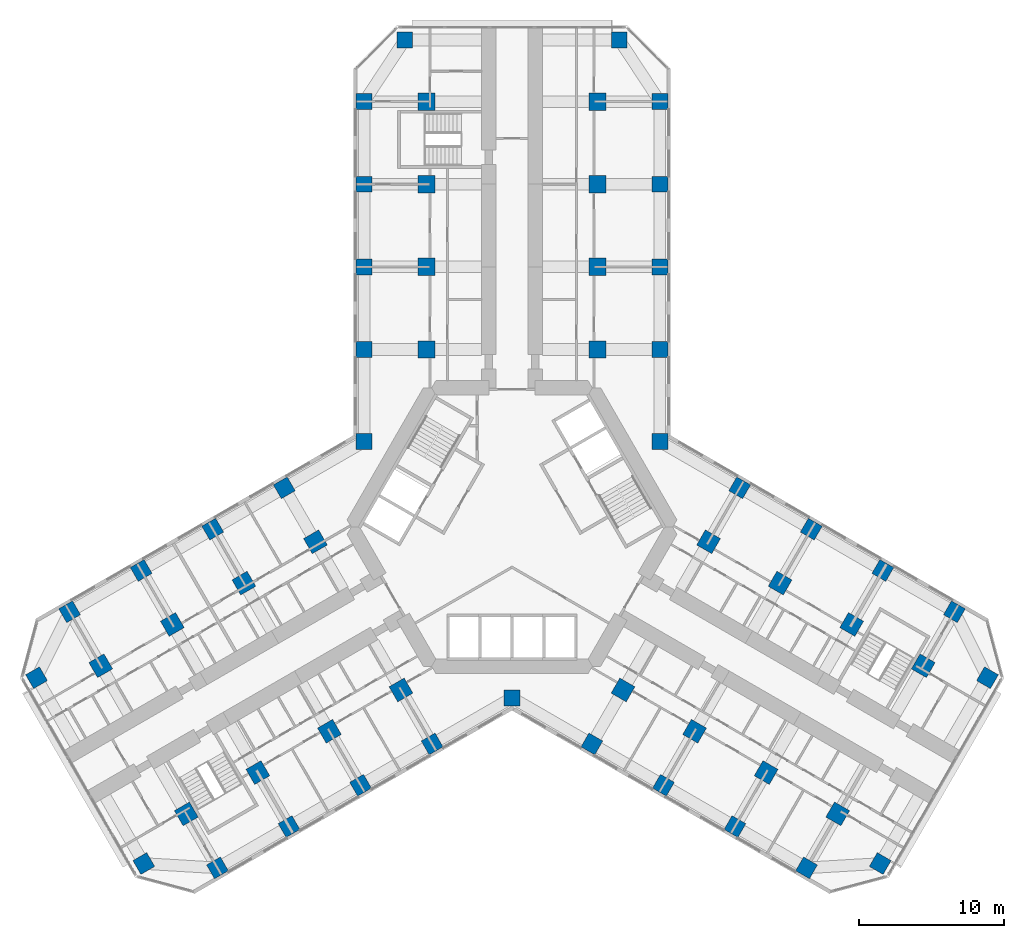
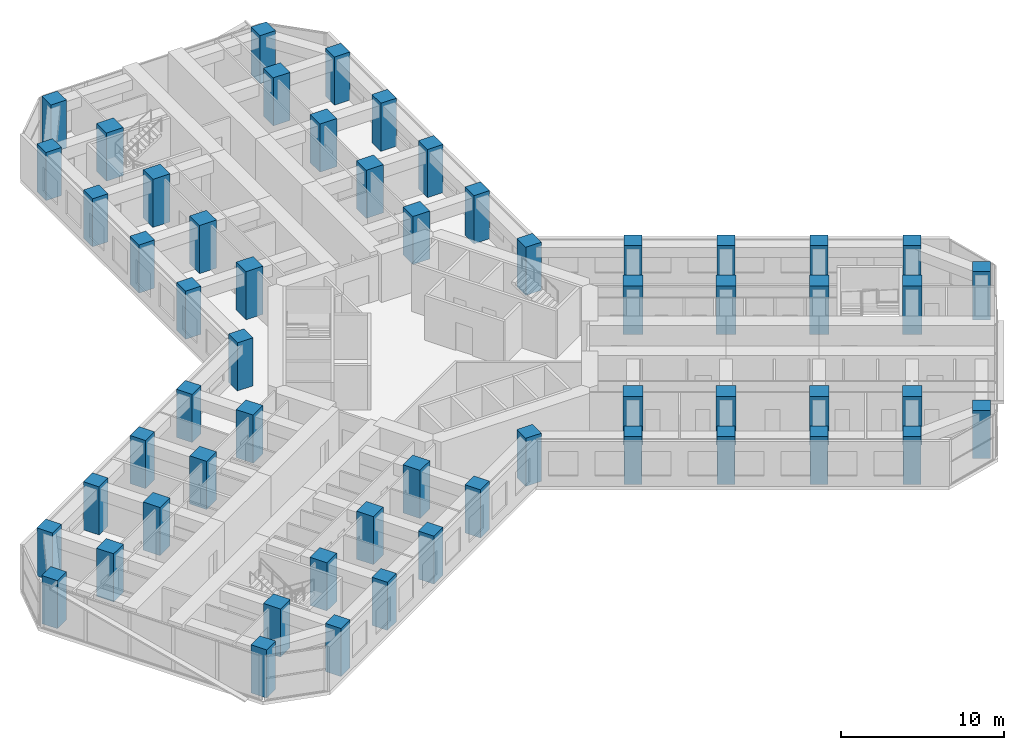
# One storey, part 1 of 18: 57 columns.
"""IFC4 building model written with IfcOpenShell, lengths in metres."""

from ifc_helpers import new_model, si_unit, direction, frame, origin, origin_2d, place, context, subcontext, project, spatial, rectangle, extrude, material, material_profile, profile_set, type_object, element, save


model = new_model("IFC4")

# Units and contexts
model_context = context("Model", 3, precision=1e-05, world=origin(), true_north=direction((0.0, 1.0)))
body_context = subcontext(model_context, "Body", "Model", "MODEL_VIEW")
ifc_project = project(units=[si_unit("LENGTHUNIT", "METRE"), si_unit("AREAUNIT", "SQUARE_METRE"), si_unit("VOLUMEUNIT", "CUBIC_METRE"), si_unit("PLANEANGLEUNIT", "RADIAN"), si_unit("MASSUNIT", "GRAM", prefix="KILO")], contexts=[model_context])

# Site, building, storey
site_placement = place(None, origin())
site = spatial("IfcSite", under=ifc_project, at=site_placement, CompositionType="ELEMENT")
building_placement = place(site_placement, origin())
building = spatial("IfcBuilding", under=site, at=building_placement, Name="Kosmar Iwan School Tower", CompositionType="ELEMENT")
storey_placement = place(building_placement, frame((0.0, 0.0, 25.199951171875)))
storey = spatial("IfcBuildingStorey", under=building, at=storey_placement, Name="L05", CompositionType="ELEMENT", Elevation=25.199951171875)

# Columns
ifc_material_1 = material(Name="Concrete C50/60", Category="concrete")
ifc_material_profile_1 = material_profile(ifc_material_1, rectangle(XDim=1.10009765625, YDim=1.10009765625, at=origin_2d()), Name="RC 1100x1100 + HD 400x744")
ifc_profile_set_1 = profile_set([ifc_material_profile_1], Name="Concrete C50/60")
column_type_1 = type_object("IfcColumnType", Name="Composite column 1100x1100 HD 400x744", PredefinedType="COLUMN", material=ifc_profile_set_1)
for number, where, z_axis, x_axis, name in (
    (1, (-10.199951171875, 12.25, 0.0), (0.0, 0.0, 1.0), (0.0, 1.0, 0.0), "Column AL1 L05"),
    (2, (-10.199951171875, 17.949951171875, 0.0), (0.0, 0.0, 1.0), (0.0, 1.0, 0.0), "Column AL2 L05"),
    (3, (-10.199951171875, 23.64990234375, 0.0), (0.0, 0.0, 1.0), (0.0, 1.0, 0.0), "Column AL3 L05"),
    (4, (-10.199951171875, 29.35009765625, 0.0), (0.0, 0.0, 1.0), (0.0, 1.0, 0.0), "Column AL4 L05"),
    (5, (-7.39990234375, 33.60009765625, 0.0), (0.0, 0.0, 1.0), (0.0, 1.0, 0.0), "Column ALTIP L05"),
    (6, (10.199951171875, 12.25, 0.0), (0.0, 0.0, 1.0), (0.0, 1.0, 0.0), "Column AR1 L05"),
    (7, (10.199951171875, 17.949951171875, 0.0), (0.0, 0.0, 1.0), (0.0, 1.0, 0.0), "Column AR2 L05"),
    (8, (10.199951171875, 23.64990234375, 0.0), (0.0, 0.0, 1.0), (0.0, 1.0, 0.0), "Column AR3 L05"),
    (9, (10.199951171875, 29.35009765625, 0.0), (0.0, 0.0, 1.0), (0.0, 1.0, 0.0), "Column AR4 L05"),
    (10, (7.39990234375, 33.60009765625, 0.0), (0.0, 0.0, 1.0), (0.0, 1.0, 0.0), "Column ARTIP L05"),
    (11, (-5.5087890625, -14.95849609375, 0.0), (0.0, 0.0, 1.0), (-0.866025403784, -0.5, 0.0), "Column BL1 L05"),
    (12, (-10.445068359375, -17.808349609375, 0.0), (0.0, 0.0, 1.0), (-0.866025403784, -0.5, 0.0), "Column BL2 L05"),
    (13, (-15.381591796875, -20.658447265625, 0.0), (0.0, 0.0, 1.0), (-0.866025403784, -0.5, 0.0), "Column BL3 L05"),
    (14, (-20.31787109375, -23.508544921875, 0.0), (0.0, 0.0, 1.0), (-0.866025403784, -0.5, 0.0), "Column BL4 L05"),
    (15, (-25.3984375, -23.20849609375, 0.0), (0.0, 0.0, 1.0), (-0.866025403784, -0.5, 0.0), "Column BLTIP L05"),
    (16, (-15.708740234375, 2.70849609375, 0.0), (0.0, 0.0, 1.0), (-0.866025403784, -0.5, 0.0), "Column BR1 L05"),
    (17, (-20.645263671875, -0.1416015625, 0.0), (0.0, 0.0, 1.0), (-0.866025403784, -0.5, 0.0), "Column BR2 L05"),
    (18, (-25.58154296875, -2.991455078125, 0.0), (0.0, 0.0, 1.0), (-0.866025403784, -0.5, 0.0), "Column BR3 L05"),
    (19, (-30.517822265625, -5.841552734375, 0.0), (0.0, 0.0, 1.0), (-0.866025403784, -0.5, 0.0), "Column BR4 L05"),
    (20, (-32.79833984375, -10.391357421875, 0.0), (0.0, 0.0, 1.0), (-0.866025403784, -0.5, 0.0), "Column BRTIP L05"),
    (21, (15.708740234375, 2.70849609375, 0.0), (0.0, 0.0, 1.0), (0.866025403784, -0.5, 0.0), "Column CL1 L05"),
    (22, (20.645263671875, -0.1416015625, 0.0), (0.0, 0.0, 1.0), (0.866025403784, -0.5, 0.0), "Column CL2 L05"),
    (23, (25.58154296875, -2.991455078125, 0.0), (0.0, 0.0, 1.0), (0.866025403784, -0.5, 0.0), "Column CL3 L05"),
    (24, (30.517822265625, -5.841552734375, 0.0), (0.0, 0.0, 1.0), (0.866025403784, -0.5, 0.0), "Column CL4 L05"),
    (25, (32.79833984375, -10.391357421875, 0.0), (0.0, 0.0, 1.0), (0.866025403784, -0.5, 0.0), "Column CLTIP L05"),
    (26, (5.5087890625, -14.95849609375, 0.0), (0.0, 0.0, 1.0), (0.866025403784, -0.5, 0.0), "Column CR1 L05"),
    (27, (10.445068359375, -17.808349609375, 0.0), (0.0, 0.0, 1.0), (0.866025403784, -0.5, 0.0), "Column CR2 L05"),
    (28, (15.381591796875, -20.658447265625, 0.0), (0.0, 0.0, 1.0), (0.866025403784, -0.5, 0.0), "Column CR3 L05"),
    (29, (20.31787109375, -23.508544921875, 0.0), (0.0, 0.0, 1.0), (0.866025403784, -0.5, 0.0), "Column CR4 L05"),
    (30, (25.3984375, -23.20849609375, 0.0), (0.0, 0.0, 1.0), (0.866025403784, -0.5, 0.0), "Column CRTIP L05"),
    (31, (-10.199951171875, 5.888916015625, 0.0), (0.0, 0.0, 1.0), (1.0, 0.0, 0.0), "Column RAB L05"),
    (32, (10.199951171875, 5.888916015625, 0.0), (0.0, 0.0, 1.0), (1.0, 0.0, 0.0), "Column RAC L05"),
    (33, (0.0, -11.77783203125, 0.0), (0.0, 0.0, 1.0), (1.0, 0.0, 0.0), "Column RBC L05"),
):
    element("IfcColumn", number, at=place(storey_placement, frame(where, z_axis=z_axis, x_axis=x_axis)), inside=storey, type_object=column_type_1, Name=name, PredefinedType="COLUMN", context=body_context, shape_type="SweptSolid", body=[
        extrude(rectangle(XDim=1.10009765625, YDim=1.10009765625, at=origin_2d()), origin(), (0.0, 0.0, 1.0), 3.60009765625),
    ])
ifc_material_2 = material(Name="Concrete C50/60", Category="concrete")
ifc_material_profile_2 = material_profile(ifc_material_2, rectangle(XDim=1.199951171875, YDim=1.199951171875, at=origin_2d()), Name="RC 1200x1200")
ifc_profile_set_2 = profile_set([ifc_material_profile_2], Name="Concrete C50/60")
column_type_2 = type_object("IfcColumnType", Name="RC interior column 1200x1200", PredefinedType="COLUMN", material=ifc_profile_set_2)
for number, where, z_axis, x_axis, name in (
    (34, (-5.89990234375, 12.25, 0.0), (0.0, 0.0, 1.0), (0.0, 1.0, 0.0), "Interior column ALI1 L05"),
    (35, (-5.89990234375, 17.949951171875, 0.0), (0.0, 0.0, 1.0), (0.0, 1.0, 0.0), "Interior column ALI2 L05"),
    (36, (-5.89990234375, 23.64990234375, 0.0), (0.0, 0.0, 1.0), (0.0, 1.0, 0.0), "Interior column ALI3 L05"),
    (37, (-5.89990234375, 29.35009765625, 0.0), (0.0, 0.0, 1.0), (0.0, 1.0, 0.0), "Interior column ALI4 L05"),
    (38, (5.89990234375, 12.25, 0.0), (0.0, 0.0, 1.0), (0.0, 1.0, 0.0), "Interior column ARI1 L05"),
    (39, (5.89990234375, 17.949951171875, 0.0), (0.0, 0.0, 1.0), (0.0, 1.0, 0.0), "Interior column ARI2 L05"),
    (40, (5.89990234375, 23.64990234375, 0.0), (0.0, 0.0, 1.0), (0.0, 1.0, 0.0), "Interior column ARI3 L05"),
    (41, (5.89990234375, 29.35009765625, 0.0), (0.0, 0.0, 1.0), (0.0, 1.0, 0.0), "Interior column ARI4 L05"),
    (42, (-7.65869140625, -11.234619140625, 0.0), (0.0, 0.0, 1.0), (-0.866025403784, -0.5, 0.0), "Interior column BLI1 L05"),
    (43, (-12.59521484375, -14.08447265625, 0.0), (0.0, 0.0, 1.0), (-0.866025403784, -0.5, 0.0), "Interior column BLI2 L05"),
    (44, (-17.531494140625, -16.9345703125, 0.0), (0.0, 0.0, 1.0), (-0.866025403784, -0.5, 0.0), "Interior column BLI3 L05"),
    (45, (-22.4677734375, -19.78466796875, 0.0), (0.0, 0.0, 1.0), (-0.866025403784, -0.5, 0.0), "Interior column BLI4 L05"),
    (46, (-13.558837890625, -1.015380859375, 0.0), (0.0, 0.0, 1.0), (-0.866025403784, -0.5, 0.0), "Interior column BRI1 L05"),
    (47, (-18.4951171875, -3.865478515625, 0.0), (0.0, 0.0, 1.0), (-0.866025403784, -0.5, 0.0), "Interior column BRI2 L05"),
    (48, (-23.431396484375, -6.71533203125, 0.0), (0.0, 0.0, 1.0), (-0.866025403784, -0.5, 0.0), "Interior column BRI3 L05"),
    (49, (-28.367919921875, -9.5654296875, 0.0), (0.0, 0.0, 1.0), (-0.866025403784, -0.5, 0.0), "Interior column BRI4 L05"),
    (50, (13.558837890625, -1.015380859375, 0.0), (0.0, 0.0, 1.0), (0.866025403784, -0.5, 0.0), "Interior column CLI1 L05"),
    (51, (18.4951171875, -3.865478515625, 0.0), (0.0, 0.0, 1.0), (0.866025403784, -0.5, 0.0), "Interior column CLI2 L05"),
    (52, (23.431396484375, -6.71533203125, 0.0), (0.0, 0.0, 1.0), (0.866025403784, -0.5, 0.0), "Interior column CLI3 L05"),
    (53, (28.367919921875, -9.5654296875, 0.0), (0.0, 0.0, 1.0), (0.866025403784, -0.5, 0.0), "Interior column CLI4 L05"),
    (54, (7.65869140625, -11.234619140625, 0.0), (0.0, 0.0, 1.0), (0.866025403784, -0.5, 0.0), "Interior column CRI1 L05"),
    (55, (12.59521484375, -14.08447265625, 0.0), (0.0, 0.0, 1.0), (0.866025403784, -0.5, 0.0), "Interior column CRI2 L05"),
    (56, (17.531494140625, -16.9345703125, 0.0), (0.0, 0.0, 1.0), (0.866025403784, -0.5, 0.0), "Interior column CRI3 L05"),
    (57, (22.4677734375, -19.78466796875, 0.0), (0.0, 0.0, 1.0), (0.866025403784, -0.5, 0.0), "Interior column CRI4 L05"),
):
    element("IfcColumn", number, at=place(storey_placement, frame(where, z_axis=z_axis, x_axis=x_axis)), inside=storey, type_object=column_type_2, Name=name, PredefinedType="COLUMN", context=body_context, shape_type="SweptSolid", body=[
        extrude(rectangle(XDim=1.199951171875, YDim=1.199951171875, at=origin_2d()), origin(), (0.0, 0.0, 1.0), 3.60009765625),
    ])

save(model, "model.ifc")
